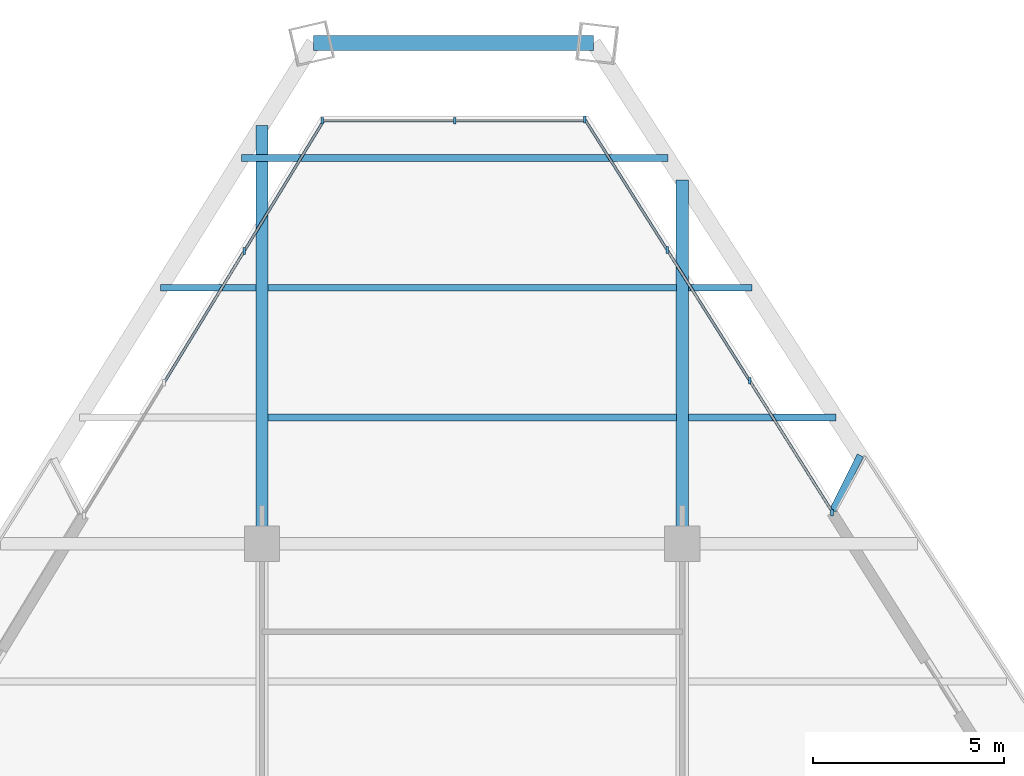
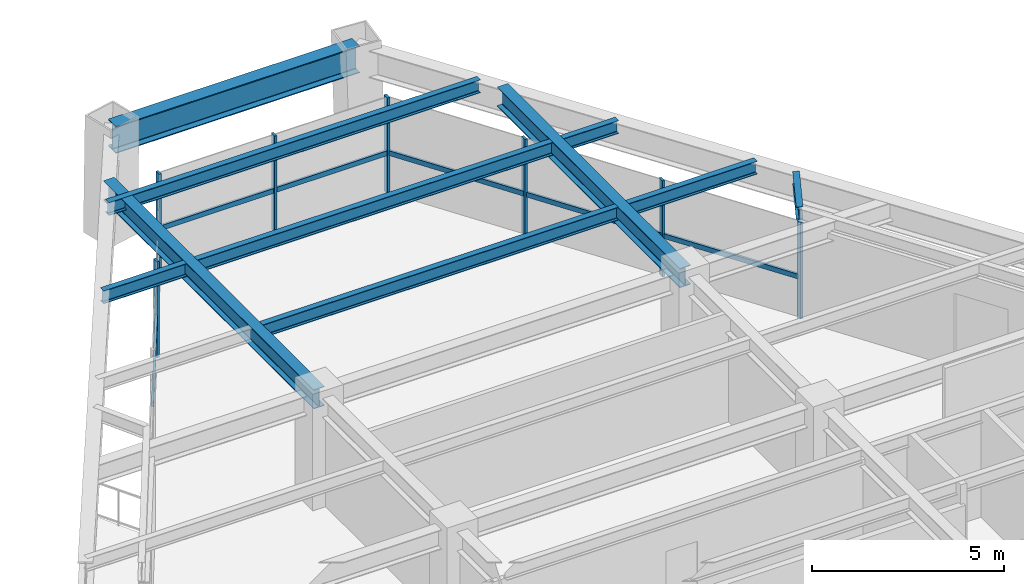
# One storey, part 7 of 13: 14 members, 10 beams, 3 elements without a shape of their own.
"""IFC4 building model written with IfcOpenShell, lengths in metres."""

from ifc_helpers import new_model, si_unit, direction, frame, origin, origin_2d, place, context, subcontext, project, spatial, rectangle, i_section, extrude, source, transform, mapped, material, material_profile, profile_set, type_object, element, aggregate, save


model = new_model("IFC4")

# Units and contexts
model_context = context("Model", 3, precision=1e-05, world=origin(), true_north=direction((0.0, 1.0)))
body_context = subcontext(model_context, "Body", "Model", "MODEL_VIEW")
ifc_project = project(units=[si_unit("LENGTHUNIT", "METRE"), si_unit("AREAUNIT", "SQUARE_METRE"), si_unit("VOLUMEUNIT", "CUBIC_METRE"), si_unit("PLANEANGLEUNIT", "RADIAN"), si_unit("MASSUNIT", "GRAM", prefix="KILO")], contexts=[model_context])

# Site, building, storey
site_placement = place(None, origin())
site = spatial("IfcSite", under=ifc_project, at=site_placement, CompositionType="ELEMENT")
building_placement = place(site_placement, origin())
building = spatial("IfcBuilding", under=site, at=building_placement, Name="Varnakhor Terracotta Tower", CompositionType="ELEMENT")
storey_placement = place(building_placement, frame((0.0, 0.0, 204.300048828125)))
storey = spatial("IfcBuildingStorey", under=building, at=storey_placement, Name="L52", CompositionType="ELEMENT", Elevation=204.300048828125)

# Beams
ifc_material_1 = material(Name="Steel S355", Category="steel")
ifc_material_profile_1 = material_profile(ifc_material_1, i_section(OverallWidth=0.179931640625, OverallDepth=0.4130859375, WebThickness=0.009765625, FlangeThickness=0.01611328125, FilletRadius=0.01806640625, at=origin_2d()), Name="W16X50")
ifc_profile_set_1 = profile_set([ifc_material_profile_1], Name="Steel S355")
beam_type_1 = type_object("IfcBeamType", Name="JST-W16X50", PredefinedType="JOIST", material=ifc_profile_set_1)
shared_shape_1 = source(origin(), body_context, "Body", "SweptSolid", [
    extrude(i_section(OverallWidth=0.179931640625, OverallDepth=0.4130859375, WebThickness=0.009765625, FlangeThickness=0.01611328125, FilletRadius=0.01806640625, at=origin_2d()), origin(), (0.0, 0.0, 1.0), 10.68310546875),
])
for number, where, z_axis, x_axis, name in (
    (1, (-5.341552734375, 34.800048828125, 3.263427734375), (1.0, 0.0, 0.0), (0.0, 1.0, 0.0), "L52 Composite Floor Joist 7-2"),
    (2, (-5.341552734375, 38.199951171875, 3.263427734375), (1.0, 0.0, 0.0), (0.0, 1.0, 0.0), "L52 Composite Floor Joist 8-2"),
):
    element("IfcBeam", number, at=place(storey_placement, frame(where, z_axis=z_axis, x_axis=x_axis)), inside=storey, type_object=beam_type_1, Name=name, PredefinedType="JOIST", context=body_context, shape_type="MappedRepresentation", body=[
        mapped(shared_shape_1, transform((0.0, 0.0, 0.0), scale=1.0)),
    ])
ifc_material_profile_2 = material_profile(ifc_material_1, i_section(OverallWidth=0.39990234375, OverallDepth=0.85498046875, WebThickness=0.01806640625, FlangeThickness=0.029052734375, FilletRadius=0.01806640625, at=origin_2d()), Name="W33X201")
ifc_profile_set_2 = profile_set([ifc_material_profile_2], Name="Steel S355")
beam_type_2 = type_object("IfcBeamType", Name="BM-W33X201", PredefinedType="BEAM", material=ifc_profile_set_2)
shared_shape_2 = source(origin(), body_context, "Body", "SweptSolid", [
    extrude(i_section(OverallWidth=0.39990234375, OverallDepth=0.85498046875, WebThickness=0.01806640625, FlangeThickness=0.029052734375, FilletRadius=0.01806640625, at=origin_2d()), origin(), (0.0, 0.0, 1.0), 7.32861328125),
])
beam_1_placement = place(storey_placement, frame((3.176513671875, 44.607421875, 3.04248046875), z_axis=(-1.0, 0.0, 0.0), x_axis=(0.0, -1.0, 0.0)))
element("IfcBeam", 3, at=beam_1_placement, inside=storey, type_object=beam_type_2, Name="L52 Perimeter Spandrel 5", PredefinedType="BEAM", context=body_context, shape_type="MappedRepresentation", body=[
    mapped(shared_shape_2, transform((0.0, 0.0, 0.0), scale=1.0)),
])
ifc_material_profile_3 = material_profile(ifc_material_1, i_section(OverallWidth=0.324951171875, OverallDepth=0.615966796875, WebThickness=0.013916015625, FlangeThickness=0.02197265625, FilletRadius=0.01806640625, at=origin_2d()), Name="W24X117")
ifc_profile_set_3 = profile_set([ifc_material_profile_3], Name="Steel S355")
beam_type_3 = type_object("IfcBeamType", Name="BM-W24X117", PredefinedType="BEAM", material=ifc_profile_set_3)
shared_shape_3 = source(origin(), body_context, "Body", "SweptSolid", [
    extrude(i_section(OverallWidth=0.324951171875, OverallDepth=0.615966796875, WebThickness=0.013916015625, FlangeThickness=0.02197265625, FilletRadius=0.01806640625, at=origin_2d()), origin(), (0.0, 0.0, 1.0), 10.9501953125),
])
beam_2_placement = place(storey_placement, frame((-5.5, 31.5, 3.161865234375), z_axis=(0.0, 1.0, 0.0), x_axis=(-1.0, 0.0, 0.0)))
element("IfcBeam", 4, at=beam_2_placement, inside=storey, type_object=beam_type_3, Name="L52 Primary Girder NS3-W", PredefinedType="BEAM", context=body_context, shape_type="MappedRepresentation", body=[
    mapped(shared_shape_3, transform((0.0, 0.0, 0.0), scale=1.0)),
])
shared_shape_4 = source(origin(), body_context, "Body", "SweptSolid", [
    extrude(i_section(OverallWidth=0.324951171875, OverallDepth=0.615966796875, WebThickness=0.013916015625, FlangeThickness=0.02197265625, FilletRadius=0.01806640625, at=origin_2d()), origin(), (0.0, 0.0, 1.0), 9.5146484375),
])
beam_3_placement = place(storey_placement, frame((5.5, 31.5, 3.161865234375), z_axis=(0.0, 1.0, 0.0), x_axis=(-1.0, 0.0, 0.0)))
element("IfcBeam", 5, at=beam_3_placement, inside=storey, type_object=beam_type_3, Name="L52 Primary Girder NS3-E", PredefinedType="BEAM", context=body_context, shape_type="MappedRepresentation", body=[
    mapped(shared_shape_4, transform((0.0, 0.0, 0.0), scale=1.0)),
])
shared_shape_5 = source(origin(), body_context, "Body", "SweptSolid", [
    extrude(i_section(OverallWidth=0.179931640625, OverallDepth=0.4130859375, WebThickness=0.009765625, FlangeThickness=0.01611328125, FilletRadius=0.01806640625, at=origin_2d()), origin(), (0.0, 0.0, 1.0), 3.8603515625),
])
beam_4_placement = place(storey_placement, frame((5.658447265625, 34.800048828125, 3.263427734375), z_axis=(1.0, 0.0, 0.0), x_axis=(0.0, 1.0, 0.0)))
element("IfcBeam", 6, at=beam_4_placement, inside=storey, type_object=beam_type_1, Name="L52 Composite Floor Joist 7-3", PredefinedType="JOIST", context=body_context, shape_type="MappedRepresentation", body=[
    mapped(shared_shape_5, transform((0.0, 0.0, 0.0), scale=1.0)),
])
shared_shape_6 = source(origin(), body_context, "Body", "SweptSolid", [
    extrude(i_section(OverallWidth=0.179931640625, OverallDepth=0.4130859375, WebThickness=0.009765625, FlangeThickness=0.01611328125, FilletRadius=0.01806640625, at=origin_2d()), origin(), (0.0, 0.0, 1.0), 2.4970703125),
])
beam_5_placement = place(storey_placement, frame((-8.155517578125, 38.199951171875, 3.263427734375), z_axis=(1.0, 0.0, 0.0), x_axis=(0.0, 1.0, 0.0)))
element("IfcBeam", 7, at=beam_5_placement, inside=storey, type_object=beam_type_1, Name="L52 Composite Floor Joist 8-1", PredefinedType="JOIST", context=body_context, shape_type="MappedRepresentation", body=[
    mapped(shared_shape_6, transform((0.0, 0.0, 0.0), scale=1.0)),
])
shared_shape_7 = source(origin(), body_context, "Body", "SweptSolid", [
    extrude(i_section(OverallWidth=0.179931640625, OverallDepth=0.4130859375, WebThickness=0.009765625, FlangeThickness=0.01611328125, FilletRadius=0.01806640625, at=origin_2d()), origin(), (0.0, 0.0, 1.0), 1.661865234375),
])
beam_6_placement = place(storey_placement, frame((5.658447265625, 38.199951171875, 3.263427734375), z_axis=(1.0, 0.0, 0.0), x_axis=(0.0, 1.0, 0.0)))
element("IfcBeam", 8, at=beam_6_placement, inside=storey, type_object=beam_type_1, Name="L52 Composite Floor Joist 8-3", PredefinedType="JOIST", context=body_context, shape_type="MappedRepresentation", body=[
    mapped(shared_shape_7, transform((0.0, 0.0, 0.0), scale=1.0)),
])
shared_shape_8 = source(origin(), body_context, "Body", "SweptSolid", [
    extrude(i_section(OverallWidth=0.179931640625, OverallDepth=0.4130859375, WebThickness=0.009765625, FlangeThickness=0.01611328125, FilletRadius=0.01806640625, at=origin_2d()), origin(), (0.0, 0.0, 1.0), 11.152587890625),
])
beam_7_placement = place(storey_placement, frame((-6.03125, 41.60009765625, 3.263427734375), z_axis=(1.0, 0.0, 0.0), x_axis=(0.0, 1.0, 0.0)))
element("IfcBeam", 9, at=beam_7_placement, inside=storey, type_object=beam_type_1, Name="L52 Composite Floor Joist 9-1", PredefinedType="JOIST", context=body_context, shape_type="MappedRepresentation", body=[
    mapped(shared_shape_8, transform((0.0, 0.0, 0.0), scale=1.0)),
])
ifc_material_profile_4 = material_profile(ifc_material_1, i_section(OverallWidth=0.179931640625, OverallDepth=0.39990234375, WebThickness=0.008544921875, FlangeThickness=0.013427734375, FilletRadius=0.01806640625, at=origin_2d()), Name="IPE400")
ifc_profile_set_4 = profile_set([ifc_material_profile_4], Name="Steel S355")
beam_type_4 = type_object("IfcBeamType", Name="JST-IPE400", PredefinedType="JOIST", material=ifc_profile_set_4)
shared_shape_9 = source(origin(), body_context, "Body", "SweptSolid", [
    extrude(i_section(OverallWidth=0.179931640625, OverallDepth=0.39990234375, WebThickness=0.008544921875, FlangeThickness=0.013427734375, FilletRadius=0.01806640625, at=origin_2d()), origin(), (0.0, 0.0, 1.0), 1.614013671875),
])
beam_8_placement = place(storey_placement, frame((9.436279296875, 32.3662109375, 3.27001953125), z_axis=(0.44818139327, 0.893942637268, 0.0), x_axis=(-0.893942637268, 0.44818139327, 0.0)))
element("IfcBeam", 10, at=beam_8_placement, inside=storey, type_object=beam_type_4, Name="L53 E Loggia Tie Beam 1", PredefinedType="JOIST", context=body_context, shape_type="MappedRepresentation", body=[
    mapped(shared_shape_9, transform((0.0, 0.0, 0.0), scale=1.0)),
])

# Curtain wall, member
ifc_material_2 = material(Name="Anodised Aluminium Curtain Wall System", Category="aluminium")
curtain_wall_type = type_object("IfcCurtainWallType", Name="CW-SYS-MID-OFFICE", PredefinedType="NOTDEFINED", material=ifc_material_2)
curtain_wall_1_placement = place(storey_placement, origin())
curtain_wall_1 = element("IfcCurtainWall", 11, at=curtain_wall_1_placement, inside=storey, type_object=curtain_wall_type, Name="L52 W Facet Curtain Wall 2", PredefinedType="NOTDEFINED")
ifc_material_3 = material(Name="Anodised Aluminium 6063-T6", Category="aluminium")
ifc_material_profile_5 = material_profile(ifc_material_3, rectangle(XDim=0.070068359375, YDim=0.175048828125, at=origin_2d()), Name="ALU MULLION 70x175")
ifc_profile_set_5 = profile_set([ifc_material_profile_5], Name="Anodised Aluminium 6063-T6")
member_type_1 = type_object("IfcMemberType", Name="CWM-03", PredefinedType="MULLION", material=ifc_profile_set_5)
shared_shape_10 = source(origin(), body_context, "Body", "SweptSolid", [
    extrude(rectangle(XDim=0.070068359375, YDim=0.175048828125, at=origin_2d()), origin(), (0.0, 0.0, 1.0), 3.050048828125),
])
member_1_placement = place(storey_placement, frame((-5.965087890625, 39.160888671875, 0.0), z_axis=(0.0, 0.0, 1.0), x_axis=(1.0, 0.0, 0.0)))
member_1 = element("IfcMember", 12, at=member_1_placement, type_object=member_type_1, Name="L52 W Facet Curtain Wall 2 Mullion 3", PredefinedType="MULLION", context=body_context, shape_type="MappedRepresentation", body=[
    mapped(shared_shape_10, transform((0.0, 0.0, 0.0), scale=1.0)),
])

# Curtain wall, members
curtain_wall_2_placement = place(storey_placement, origin())
curtain_wall_2 = element("IfcCurtainWall", 13, at=curtain_wall_2_placement, inside=storey, type_object=curtain_wall_type, Name="L52 Facet Curtain Wall 2", PredefinedType="NOTDEFINED")
member_2_placement = place(storey_placement, frame((-3.923095703125, 42.57470703125, 0.0), z_axis=(0.0, 0.0, 1.0), x_axis=(1.0, 0.0, 0.0)))
member_2 = element("IfcMember", 14, at=member_2_placement, type_object=member_type_1, Name="L52 Facet Curtain Wall 2 Mullion 1", PredefinedType="MULLION", context=body_context, shape_type="MappedRepresentation", body=[
    mapped(shared_shape_10, transform((0.0, 0.0, 0.0), scale=1.0)),
])
member_3_placement = place(storey_placement, frame((-0.458984375, 42.57470703125, 0.0), z_axis=(0.0, 0.0, 1.0), x_axis=(1.0, 0.0, 0.0)))
member_3 = element("IfcMember", 15, at=member_3_placement, type_object=member_type_1, Name="L52 Facet Curtain Wall 2 Mullion 2", PredefinedType="MULLION", context=body_context, shape_type="MappedRepresentation", body=[
    mapped(shared_shape_10, transform((0.0, 0.0, 0.0), scale=1.0)),
])

curtain_wall_3_placement = place(storey_placement, origin())
curtain_wall_3 = element("IfcCurtainWall", 16, at=curtain_wall_3_placement, inside=storey, type_object=curtain_wall_type, Name="L52 E Facet Curtain Wall 1", PredefinedType="NOTDEFINED")
member_4_placement = place(storey_placement, frame((2.94970703125, 42.605224609375, 0.0), z_axis=(0.0, 0.0, 1.0), x_axis=(1.0, 0.0, 0.0)))
member_4 = element("IfcMember", 17, at=member_4_placement, type_object=member_type_1, Name="L52 E Facet Curtain Wall 1 Mullion 1", PredefinedType="MULLION", context=body_context, shape_type="MappedRepresentation", body=[
    mapped(shared_shape_10, transform((0.0, 0.0, 0.0), scale=1.0)),
])
member_5_placement = place(storey_placement, frame((5.105712890625, 39.18701171875, 0.0), z_axis=(0.0, 0.0, 1.0), x_axis=(1.0, 0.0, 0.0)))
member_5 = element("IfcMember", 18, at=member_5_placement, type_object=member_type_1, Name="L52 E Facet Curtain Wall 1 Mullion 2", PredefinedType="MULLION", context=body_context, shape_type="MappedRepresentation", body=[
    mapped(shared_shape_10, transform((0.0, 0.0, 0.0), scale=1.0)),
])
member_6_placement = place(storey_placement, frame((7.26171875, 35.7685546875, 0.0), z_axis=(0.0, 0.0, 1.0), x_axis=(1.0, 0.0, 0.0)))
member_6 = element("IfcMember", 19, at=member_6_placement, type_object=member_type_1, Name="L52 E Facet Curtain Wall 1 Mullion 3", PredefinedType="MULLION", context=body_context, shape_type="MappedRepresentation", body=[
    mapped(shared_shape_10, transform((0.0, 0.0, 0.0), scale=1.0)),
])
member_7_placement = place(storey_placement, frame((9.41650390625, 32.31396484375, 0.0), z_axis=(0.0, 0.0, 1.0), x_axis=(1.0, 0.0, 0.0)))
member_7 = element("IfcMember", 20, at=member_7_placement, type_object=member_type_1, Name="L52 E Loggia Jamb Closure Mullion 1", PredefinedType="MULLION", context=body_context, shape_type="MappedRepresentation", body=[
    mapped(shared_shape_10, transform((0.0, 0.0, 0.0), scale=1.0)),
])

# Member
ifc_material_profile_6 = material_profile(ifc_material_3, rectangle(XDim=0.070068359375, YDim=0.155029296875, at=origin_2d()), Name="ALU TRANSOM 70x155")
ifc_profile_set_6 = profile_set([ifc_material_profile_6], Name="Anodised Aluminium 6063-T6")
member_type_2 = type_object("IfcMemberType", Name="CWT-03", PredefinedType="USERDEFINED", material=ifc_profile_set_6)
shared_shape_11 = source(origin(), body_context, "Body", "SweptSolid", [
    extrude(rectangle(XDim=0.070068359375, YDim=0.155029296875, at=origin_2d()), origin(), (0.0, 0.0, 1.0), 4.03466796875),
])
member_8_placement = place(storey_placement, frame((-8.064208984375, 35.71533203125, 1.281005859375), z_axis=(0.520277091683, 0.853997510459, 0.0), x_axis=(-0.853997510459, 0.520277091683, 0.0)))
member_8 = element("IfcMember", 21, at=member_8_placement, type_object=member_type_2, Name="L52 W Facet Curtain Wall 2 Transom 2", ObjectType="TRANSOM", PredefinedType="USERDEFINED", context=body_context, shape_type="MappedRepresentation", body=[
    mapped(shared_shape_11, transform((0.0, 0.0, 0.0), scale=1.0)),
])

member_9_placement = place(storey_placement, frame((-5.965087890625, 39.160888671875, 1.281005859375), z_axis=(0.52020607349, 0.854040772507, 0.0), x_axis=(-0.854040772507, 0.52020607349, 0.0)))
member_9 = element("IfcMember", 22, at=member_9_placement, type_object=member_type_2, Name="L52 W Facet Curtain Wall 2 Transom 3", ObjectType="TRANSOM", PredefinedType="USERDEFINED", context=body_context, shape_type="MappedRepresentation", body=[
    mapped(shared_shape_11, transform((0.0, 0.0, 0.0), scale=1.0)),
])

aggregate(curtain_wall_1, [member_8, member_1, member_9])

shared_shape_12 = source(origin(), body_context, "Body", "SweptSolid", [
    extrude(rectangle(XDim=0.070068359375, YDim=0.155029296875, at=origin_2d()), origin(), (0.0, 0.0, 1.0), 3.464111328125),
])
member_10_placement = place(storey_placement, frame((-3.923095703125, 42.57470703125, 1.281005859375), z_axis=(1.0, 0.0, 0.0), x_axis=(0.0, 1.0, 0.0)))
member_10 = element("IfcMember", 23, at=member_10_placement, type_object=member_type_2, Name="L52 Facet Curtain Wall 2 Transom 1", ObjectType="TRANSOM", PredefinedType="USERDEFINED", context=body_context, shape_type="MappedRepresentation", body=[
    mapped(shared_shape_12, transform((0.0, 0.0, 0.0), scale=1.0)),
])

member_11_placement = place(storey_placement, frame((-0.458984375, 42.57470703125, 1.281005859375), z_axis=(1.0, 0.0, 0.0), x_axis=(0.0, 1.0, 0.0)))
member_11 = element("IfcMember", 24, at=member_11_placement, type_object=member_type_2, Name="L52 Facet Curtain Wall 2 Transom 2", ObjectType="TRANSOM", PredefinedType="USERDEFINED", context=body_context, shape_type="MappedRepresentation", body=[
    mapped(shared_shape_12, transform((0.0, 0.0, 0.0), scale=1.0)),
])

aggregate(curtain_wall_2, [member_2, member_10, member_3, member_11])

shared_shape_13 = source(origin(), body_context, "Body", "SweptSolid", [
    extrude(rectangle(XDim=0.070068359375, YDim=0.155029296875, at=origin_2d()), origin(), (0.0, 0.0, 1.0), 4.041259765625),
])
member_12_placement = place(storey_placement, frame((2.94970703125, 42.605224609375, 1.281005859375), z_axis=(0.533486044487, -0.845808867497, 0.0), x_axis=(0.845808867497, 0.533486044487, 0.0)))
member_12 = element("IfcMember", 25, at=member_12_placement, type_object=member_type_2, Name="L52 E Facet Curtain Wall 1 Transom 1", ObjectType="TRANSOM", PredefinedType="USERDEFINED", context=body_context, shape_type="MappedRepresentation", body=[
    mapped(shared_shape_13, transform((0.0, 0.0, 0.0), scale=1.0)),
])

shared_shape_14 = source(origin(), body_context, "Body", "SweptSolid", [
    extrude(rectangle(XDim=0.070068359375, YDim=0.155029296875, at=origin_2d()), origin(), (0.0, 0.0, 1.0), 4.04150390625),
])
member_13_placement = place(storey_placement, frame((5.105712890625, 39.18701171875, 1.281005859375), z_axis=(0.533458786694, -0.845826059482, 0.0), x_axis=(0.845826059482, 0.533458786694, 0.0)))
member_13 = element("IfcMember", 26, at=member_13_placement, type_object=member_type_2, Name="L52 E Facet Curtain Wall 1 Transom 2", ObjectType="TRANSOM", PredefinedType="USERDEFINED", context=body_context, shape_type="MappedRepresentation", body=[
    mapped(shared_shape_14, transform((0.0, 0.0, 0.0), scale=1.0)),
])

member_14_placement = place(storey_placement, frame((7.26171875, 35.7685546875, 1.281005859375), z_axis=(0.533415567755, -0.845853315934, 0.0), x_axis=(0.845853315934, 0.533415567755, 0.0)))
member_14 = element("IfcMember", 27, at=member_14_placement, type_object=member_type_2, Name="L52 E Facet Curtain Wall 1 Transom 3", ObjectType="TRANSOM", PredefinedType="USERDEFINED", context=body_context, shape_type="MappedRepresentation", body=[
    mapped(shared_shape_14, transform((0.0, 0.0, 0.0), scale=1.0)),
])

aggregate(curtain_wall_3, [member_4, member_12, member_5, member_13, member_6, member_14, member_7])

save(model, "model.ifc")
